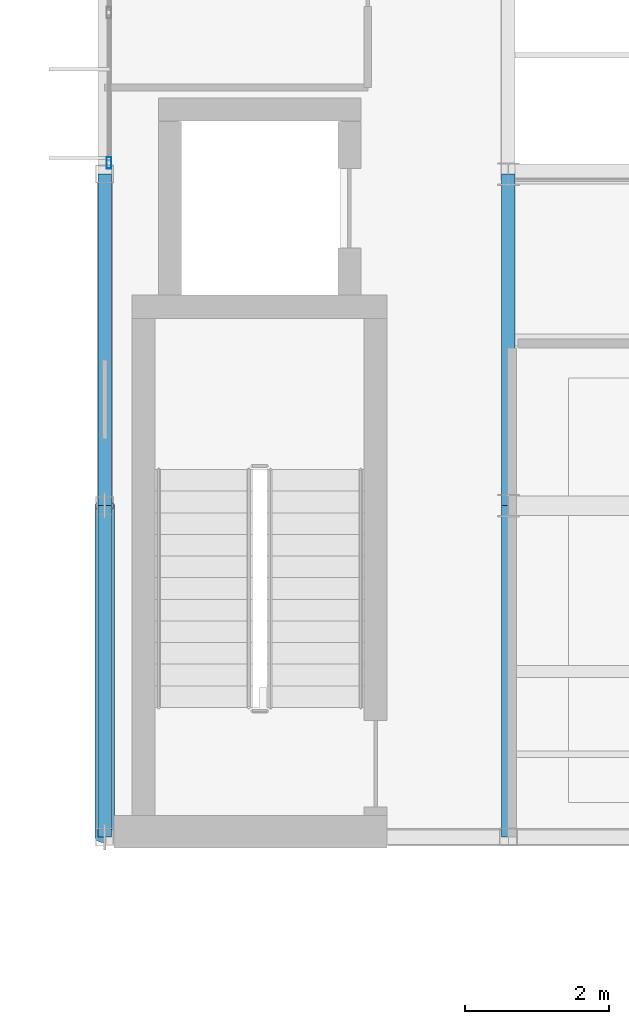
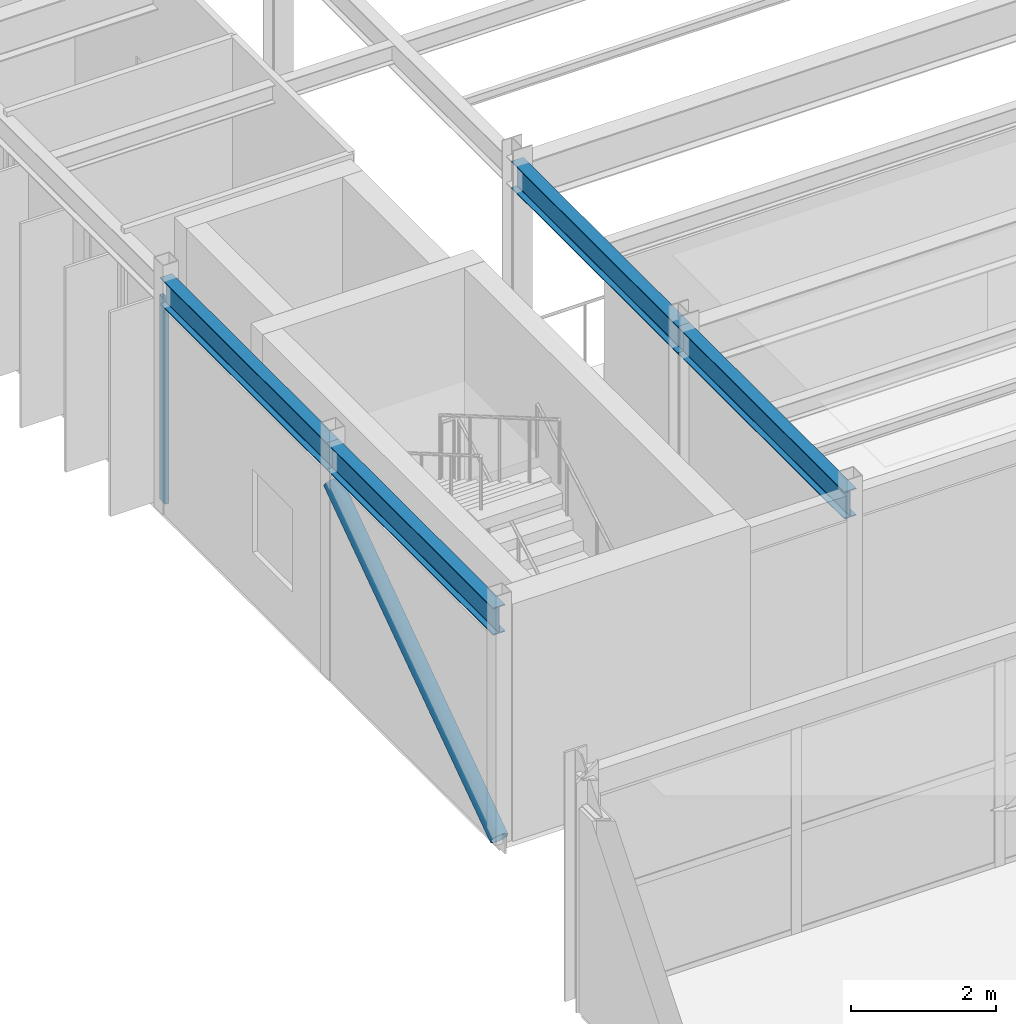
# One storey, part 32 of 148: 4 beams, 2 members, 1 element without a shape of its own.
"""IFC4 building model written with IfcOpenShell, lengths in metres."""

from ifc_helpers import new_model, si_unit, direction, frame, origin, origin_2d, place, context, subcontext, project, spatial, hollow_rectangle, hollow_circle, i_section, extrude, material, material_profile, profile_set, type_object, element, aggregate, save


model = new_model("IFC4")

# Units and contexts
model_context = context("Model", 3, precision=1e-05, world=origin(), true_north=direction((0.0, 1.0)))
body_context = subcontext(model_context, "Body", "Model", "MODEL_VIEW")
ifc_project = project(units=[si_unit("LENGTHUNIT", "METRE"), si_unit("AREAUNIT", "SQUARE_METRE"), si_unit("VOLUMEUNIT", "CUBIC_METRE"), si_unit("PLANEANGLEUNIT", "RADIAN"), si_unit("MASSUNIT", "GRAM", prefix="KILO")], contexts=[model_context])

# Site, building, storey
site_placement = place(None, origin())
site = spatial("IfcSite", under=ifc_project, at=site_placement, CompositionType="ELEMENT")
building_placement = place(site_placement, origin())
building = spatial("IfcBuilding", under=site, at=building_placement, Name="Karori Crest Natural Sciences Institute", CompositionType="ELEMENT")
storey_placement = place(building_placement, frame((0.0, 0.0, 4.89990234375)))
storey = spatial("IfcBuildingStorey", under=building, at=storey_placement, Name="L01", CompositionType="ELEMENT", Elevation=4.89990234375)

# Beams
ifc_material_1 = material(Name="Structural steel AS/NZS 3679.1 Grade 350", Category="steel")
ifc_material_profile_1 = material_profile(ifc_material_1, i_section(OverallWidth=0.19091796875, OverallDepth=0.4599609375, WebThickness=0.010009765625, FlangeThickness=0.01611328125, FilletRadius=0.010986328125, at=origin_2d()), Name="460UB82.1")
ifc_profile_set_1 = profile_set([ifc_material_profile_1], Name="Structural steel AS/NZS 3679.1 Grade 350")
beam_type_1 = type_object("IfcBeamType", Name="BT-06", PredefinedType="BEAM", material=ifc_profile_set_1)
beam_1_placement = place(storey_placement, frame((7.39990234375, 31.199951171875, 3.690185546875), z_axis=(0.0, 1.0, 0.0), x_axis=(-1.0, 0.0, 0.0)))
element("IfcBeam", 1, at=beam_1_placement, inside=storey, type_object=beam_type_1, Name="Beam B-1035", PredefinedType="BEAM", context=body_context, shape_type="SweptSolid", body=[
    extrude(i_section(OverallWidth=0.19091796875, OverallDepth=0.4599609375, WebThickness=0.010009765625, FlangeThickness=0.01611328125, FilletRadius=0.010986328125, at=origin_2d()), origin(), (0.0, 0.0, 1.0), 4.60009765625),
])
beam_2_placement = place(storey_placement, frame((7.39990234375, 35.800048828125, 3.690185546875), z_axis=(0.0, 1.0, 0.0), x_axis=(-1.0, 0.0, 0.0)))
element("IfcBeam", 2, at=beam_2_placement, inside=storey, type_object=beam_type_1, Name="Beam B-1036", PredefinedType="BEAM", context=body_context, shape_type="SweptSolid", body=[
    extrude(i_section(OverallWidth=0.19091796875, OverallDepth=0.4599609375, WebThickness=0.010009765625, FlangeThickness=0.01611328125, FilletRadius=0.010986328125, at=origin_2d()), origin(), (0.0, 0.0, 1.0), 4.599853515625),
])
ifc_material_profile_2 = material_profile(ifc_material_1, i_section(OverallWidth=0.19091796875, OverallDepth=0.4599609375, WebThickness=0.010009765625, FlangeThickness=0.01611328125, FilletRadius=0.010986328125, at=origin_2d()), Name="460UB82.1")
ifc_profile_set_2 = profile_set([ifc_material_profile_2], Name="Structural steel AS/NZS 3679.1 Grade 350")
beam_type_2 = type_object("IfcBeamType", Name="BT-06-EL", PredefinedType="BEAM", material=ifc_profile_set_2)
beam_3_placement = place(storey_placement, frame((1.800048828125, 31.199951171875, 3.690185546875), z_axis=(0.0, 1.0, 0.0), x_axis=(-1.0, 0.0, 0.0)))
element("IfcBeam", 3, at=beam_3_placement, inside=storey, type_object=beam_type_2, Name="Beam B-1028", PredefinedType="BEAM", context=body_context, shape_type="SweptSolid", body=[
    extrude(i_section(OverallWidth=0.19091796875, OverallDepth=0.4599609375, WebThickness=0.010009765625, FlangeThickness=0.01611328125, FilletRadius=0.010986328125, at=origin_2d()), origin(), (0.0, 0.0, 1.0), 4.60009765625),
])
beam_4_placement = place(storey_placement, frame((1.800048828125, 35.800048828125, 3.690185546875), z_axis=(0.0, 1.0, 0.0), x_axis=(-1.0, 0.0, 0.0)))
element("IfcBeam", 4, at=beam_4_placement, inside=storey, type_object=beam_type_2, Name="Beam B-1029", PredefinedType="BEAM", context=body_context, shape_type="SweptSolid", body=[
    extrude(i_section(OverallWidth=0.19091796875, OverallDepth=0.4599609375, WebThickness=0.010009765625, FlangeThickness=0.01611328125, FilletRadius=0.010986328125, at=origin_2d()), origin(), (0.0, 0.0, 1.0), 4.599853515625),
])

# Curtain wall, member
ifc_material_2 = material(Name="Anodised architectural aluminium 6063-T6", Category="aluminium")
curtain_wall_type = type_object("IfcCurtainWallType", Name="CWT-17", PredefinedType="NOTDEFINED", material=ifc_material_2)
curtain_wall_placement = place(storey_placement, origin())
curtain_wall = element("IfcCurtainWall", 5, at=curtain_wall_placement, inside=storey, type_object=curtain_wall_type, Name="Curtain wall CW-0262", PredefinedType="NOTDEFINED")
ifc_material_profile_3 = material_profile(ifc_material_2, hollow_rectangle(XDim=0.06494140625, YDim=0.159912109375, WallThickness=0.00390625, at=origin_2d()), Name="CWM160x65x4")
ifc_profile_set_3 = profile_set([ifc_material_profile_3], Name="Anodised architectural aluminium 6063-T6")
member_type_1 = type_object("IfcMemberType", Name="CWM-01", PredefinedType="MULLION", material=ifc_profile_set_3)
member_1_placement = place(storey_placement, frame((1.860107421875, 40.555419921875, 0.0), z_axis=(0.0, 0.0, 1.0), x_axis=(-1.0, 0.0, 0.0)))
member_1 = element("IfcMember", 6, at=member_1_placement, type_object=member_type_1, Name="CW-0262 mullion 1", PredefinedType="MULLION", context=body_context, shape_type="SweptSolid", body=[
    extrude(hollow_rectangle(XDim=0.06494140625, YDim=0.159912109375, WallThickness=0.00390625, at=origin_2d()), origin(), (0.0, 0.0, 1.0), 3.445068359375),
])
aggregate(curtain_wall, [member_1])

# Member
ifc_material_3 = material(Name="Hollow structural steel AS/NZS 1163 Grade C350", Category="steel")
ifc_material_profile_4 = material_profile(ifc_material_3, hollow_circle(Radius=0.136474609375, WallThickness=0.00927734375, at=origin_2d()), Name="CHS273.0x9.3")
ifc_profile_set_4 = profile_set([ifc_material_profile_4], Name="Hollow structural steel AS/NZS 1163 Grade C350")
member_type_2 = type_object("IfcMemberType", Name="MT-01-EL", PredefinedType="BRACE", material=ifc_profile_set_4)
member_2_placement = place(storey_placement, frame((1.800048828125, 31.199951171875, 0.010009765625), z_axis=(0.0, 0.819240091074, 0.573450671965), x_axis=(-1.0, 0.0, 0.0)))
element("IfcMember", 7, at=member_2_placement, inside=storey, type_object=member_type_2, Name="Diagonal Brace M-0253", PredefinedType="BRACE", context=body_context, shape_type="SweptSolid", body=[
    extrude(hollow_circle(Radius=0.136474609375, WallThickness=0.00927734375, at=origin_2d()), origin(), (0.0, 0.0, 1.0), 5.614990234375),
])

save(model, "model.ifc")
